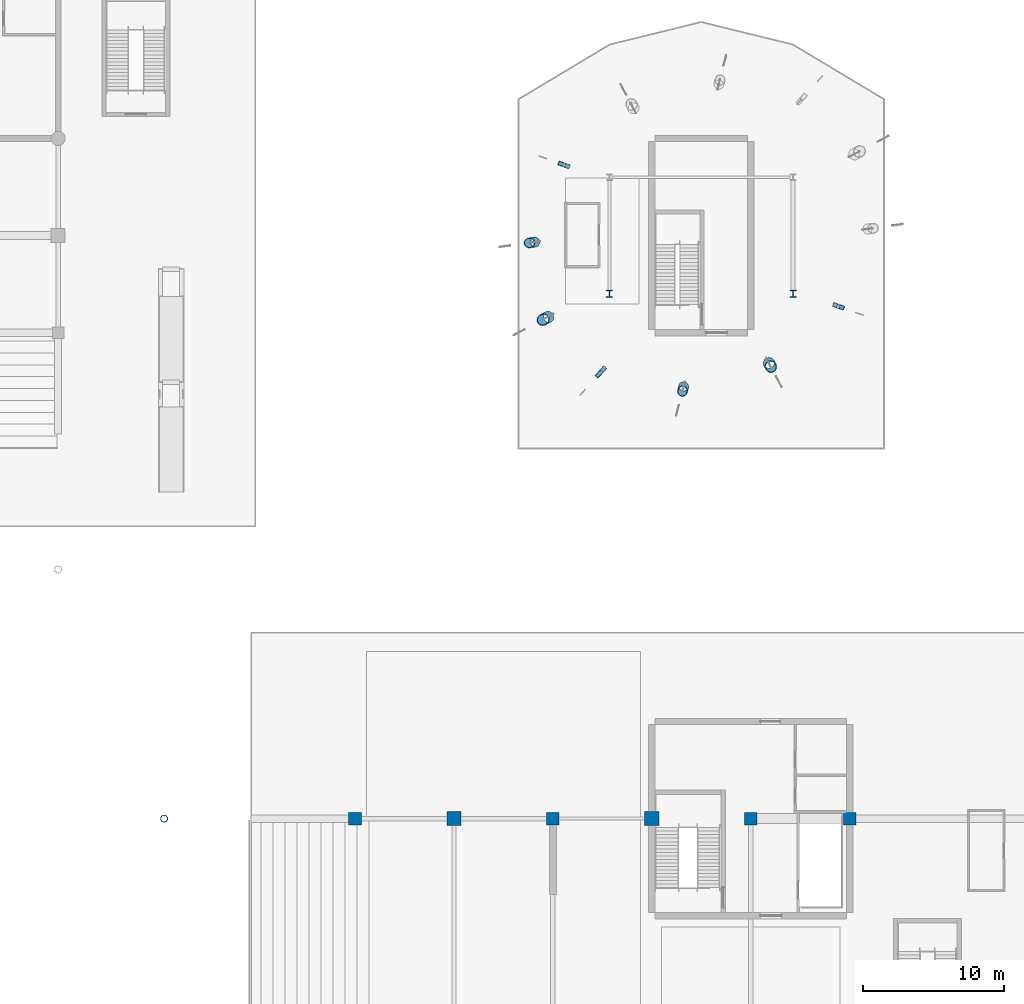
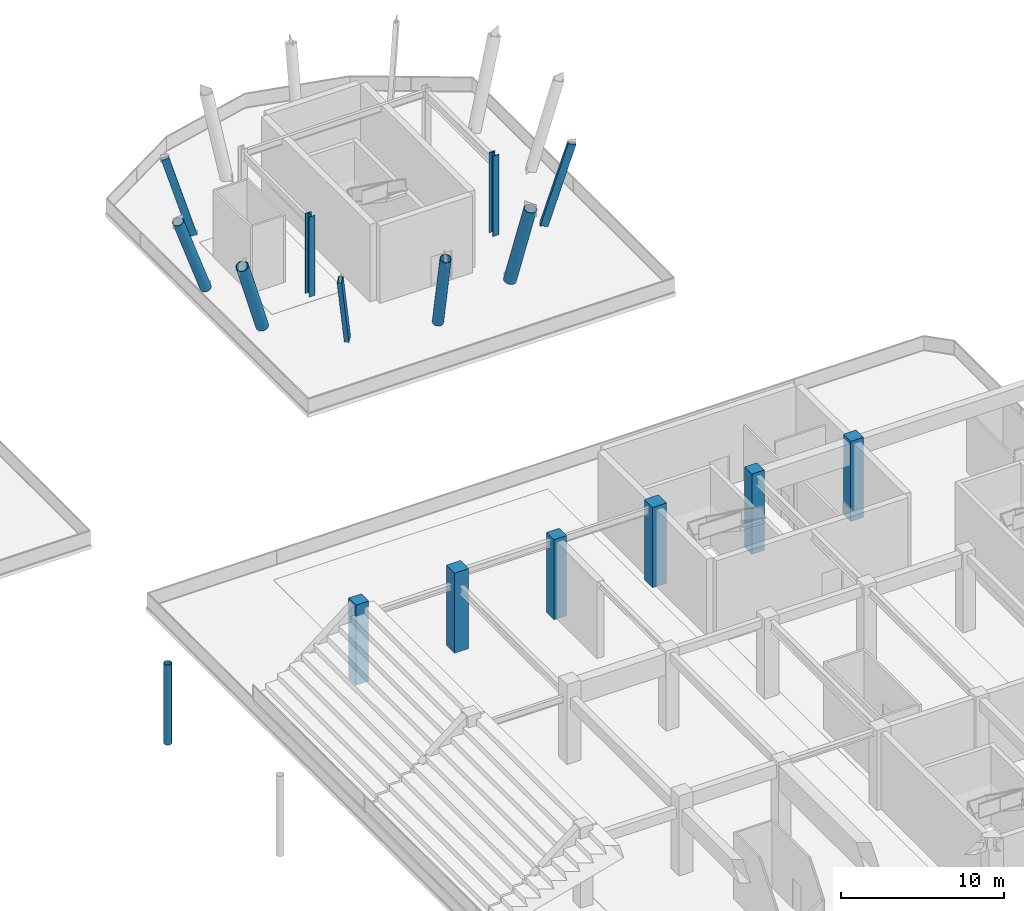
# One storey, part 20 of 73: 16 columns.
"""IFC4 building model written with IfcOpenShell, lengths in metres."""

from ifc_helpers import new_model, si_unit, direction, frame, origin, origin_2d, place, context, subcontext, project, spatial, rectangle, hollow_rectangle, hollow_circle, i_section, extrude, material, material_profile, profile_set, type_object, element, save


model = new_model("IFC4")

# Units and contexts
model_context = context("Model", 3, precision=1e-05, world=origin(), true_north=direction((0.0, 1.0)))
body_context = subcontext(model_context, "Body", "Model", "MODEL_VIEW")
ifc_project = project(units=[si_unit("LENGTHUNIT", "METRE"), si_unit("AREAUNIT", "SQUARE_METRE"), si_unit("VOLUMEUNIT", "CUBIC_METRE"), si_unit("PLANEANGLEUNIT", "RADIAN"), si_unit("MASSUNIT", "GRAM", prefix="KILO")], contexts=[model_context])

# Site, building, storey
site_placement = place(None, origin())
site = spatial("IfcSite", under=ifc_project, at=site_placement, CompositionType="ELEMENT")
building_placement = place(site_placement, origin())
building = spatial("IfcBuilding", under=site, at=building_placement, Name="Linyun Crest Stadium", CompositionType="ELEMENT")
storey_placement = place(building_placement, origin())
storey = spatial("IfcBuildingStorey", under=building, at=storey_placement, Name="L01", CompositionType="ELEMENT", Elevation=0.0)

# Columns
ifc_material_1 = material(Name="Concrete C50", Category="concrete")
ifc_material_profile_1 = material_profile(ifc_material_1, rectangle(XDim=0.89990234375, YDim=0.89990234375, at=origin_2d()), Name="RC 900x900")
ifc_profile_set_1 = profile_set([ifc_material_profile_1], Name="Concrete C50")
column_type_1 = type_object("IfcColumnType", Name="C04", PredefinedType="COLUMN", material=ifc_profile_set_1)
column_1_placement = place(storey_placement, frame((49.0, 43.375, 0.0), z_axis=(0.0, 0.0, 1.0), x_axis=(1.0, 0.0, 0.0)))
element("IfcColumn", 1, at=column_1_placement, inside=storey, type_object=column_type_1, Name="Column C04 L01 320", PredefinedType="COLUMN", context=body_context, shape_type="SweptSolid", body=[
    extrude(rectangle(XDim=0.89990234375, YDim=0.89990234375, at=origin_2d()), origin(), (0.0, 0.0, 1.0), 6.0),
])
for number, where, z_axis, x_axis, name in (
    (2, (63.0, 43.375, 0.0), (0.0, 0.0, 1.0), (1.0, 0.0, 0.0), "Column C04 L01 389"),
    (3, (77.0, 43.375, 0.0), (0.0, 0.0, 1.0), (1.0, 0.0, 0.0), "Column C04 L01 477"),
    (4, (84.0, 43.375, 0.0), (0.0, 0.0, 1.0), (1.0, 0.0, 0.0), "Column C04 L01 524"),
):
    element("IfcColumn", number, at=place(storey_placement, frame(where, z_axis=z_axis, x_axis=x_axis)), inside=storey, type_object=column_type_1, Name=name, PredefinedType="COLUMN", context=body_context, shape_type="SweptSolid", body=[
        extrude(rectangle(XDim=0.89990234375, YDim=0.89990234375, at=origin_2d()), origin(), (0.0, 0.0, 1.0), 5.998046875),
    ])
ifc_material_2 = material(Name="Concrete C50", Category="concrete")
ifc_material_profile_2 = material_profile(ifc_material_2, rectangle(XDim=1.0, YDim=1.0, at=origin_2d()), Name="RC 1000x1000")
ifc_profile_set_2 = profile_set([ifc_material_profile_2], Name="Concrete C50")
column_type_2 = type_object("IfcColumnType", Name="C05", PredefinedType="COLUMN", material=ifc_profile_set_2)
for number, where, z_axis, x_axis, name in (
    (5, (56.0, 43.375, 0.0), (0.0, 0.0, 1.0), (1.0, 0.0, 0.0), "Column C05 L01 350"),
    (6, (70.0, 43.375, 0.0), (0.0, 0.0, 1.0), (1.0, 0.0, 0.0), "Column C05 L01 436"),
):
    element("IfcColumn", number, at=place(storey_placement, frame(where, z_axis=z_axis, x_axis=x_axis)), inside=storey, type_object=column_type_2, Name=name, PredefinedType="COLUMN", context=body_context, shape_type="SweptSolid", body=[
        extrude(rectangle(XDim=1.0, YDim=1.0, at=origin_2d()), origin(), (0.0, 0.0, 1.0), 5.998046875),
    ])
ifc_material_3 = material(Name="Steel Q420C", Category="steel")
ifc_material_profile_3 = material_profile(ifc_material_3, i_section(OverallWidth=0.431884765625, OverallDepth=0.498046875, WebThickness=0.02392578125, FlangeThickness=0.0380859375, at=origin_2d()), Name="HW 498x432")
ifc_profile_set_3 = profile_set([ifc_material_profile_3], Name="Steel Q420C")
column_type_3 = type_object("IfcColumnType", Name="SC04", PredefinedType="COLUMN", material=ifc_profile_set_3)
for number, where, z_axis, x_axis, name in (
    (7, (67.0, 80.5, 0.0), (0.0, 0.0, 1.0), (1.0, 0.0, 0.0), "Column SC04 L01 823"),
    (8, (80.0, 80.5, 0.0), (0.0, 0.0, 1.0), (1.0, 0.0, 0.0), "Column SC04 L01 830"),
):
    element("IfcColumn", number, at=place(storey_placement, frame(where, z_axis=z_axis, x_axis=x_axis)), inside=storey, type_object=column_type_3, Name=name, PredefinedType="COLUMN", context=body_context, shape_type="SweptSolid", body=[
        extrude(i_section(OverallWidth=0.431884765625, OverallDepth=0.498046875, WebThickness=0.02392578125, FlangeThickness=0.0380859375, at=origin_2d()), origin(), (0.0, 0.0, 1.0), 5.998046875),
    ])
ifc_material_4 = material(Name="Steel Q355C", Category="steel")
ifc_material_profile_4 = material_profile(ifc_material_4, hollow_circle(Radius=0.25390625, WallThickness=0.02490234375, at=origin_2d()), Name="CHS 508x25")
ifc_profile_set_4 = profile_set([ifc_material_profile_4], Name="Steel Q355C")
column_type_4 = type_object("IfcColumnType", Name="SC05", PredefinedType="COLUMN", material=ifc_profile_set_4)
column_2_placement = place(storey_placement, frame((35.5, 43.375, 0.0), z_axis=(0.0, 0.0, 1.0), x_axis=(1.0, 0.0, 0.0)))
element("IfcColumn", 9, at=column_2_placement, inside=storey, type_object=column_type_4, Name="Arch colonnade column SC05 L01 32", PredefinedType="COLUMN", context=body_context, shape_type="SweptSolid", body=[
    extrude(hollow_circle(Radius=0.25390625, WallThickness=0.02490234375, at=origin_2d()), origin(), (0.0, 0.0, 1.0), 6.0),
])
ifc_material_5 = material(Name="Steel Q420C", Category="steel")
ifc_material_profile_5 = material_profile(ifc_material_5, hollow_circle(Radius=0.35546875, WallThickness=0.031982421875, at=origin_2d()), Name="CHS 711x32")
ifc_profile_set_5 = profile_set([ifc_material_profile_5], Name="Steel Q420C")
column_type_5 = type_object("IfcColumnType", Name="VL01", PredefinedType="PILASTER", material=ifc_profile_set_5)
column_3_placement = place(storey_placement, frame((61.73095703125, 84.162109375, 0.126953125), z_axis=(-0.340370956998, -0.047212997592, 0.939105182869), x_axis=(0.137394936006, -0.990516345933, 0.0)))
element("IfcColumn", 10, at=column_3_placement, inside=storey, type_object=column_type_5, Name="Inclined V-leg pier VL01 52", PredefinedType="PILASTER", context=body_context, shape_type="SweptSolid", body=[
    extrude(hollow_circle(Radius=0.35546875, WallThickness=0.031982421875, at=origin_2d()), origin(), (0.0, 0.0, 1.0), 6.251708984375),
])
column_4_placement = place(storey_placement, frame((72.2529296875, 73.931884765625, 0.10595703125), z_axis=(-0.069670455414, -0.2741113126, 0.959171004538), x_axis=(0.96918445446, -0.246336138708, 0.0)))
element("IfcColumn", 11, at=column_4_placement, inside=storey, type_object=column_type_5, Name="Inclined V-leg pier VL01 61", PredefinedType="PILASTER", context=body_context, shape_type="SweptSolid", body=[
    extrude(hollow_circle(Radius=0.35546875, WallThickness=0.031982421875, at=origin_2d()), origin(), (0.0, 0.0, 1.0), 6.142822265625),
])
ifc_material_6 = material(Name="Steel Q420C", Category="steel")
ifc_material_profile_6 = material_profile(ifc_material_6, hollow_circle(Radius=0.406494140625, WallThickness=0.035888671875, at=origin_2d()), Name="CHS 813x36")
ifc_profile_set_6 = profile_set([ifc_material_profile_6], Name="Steel Q420C")
column_type_6 = type_object("IfcColumnType", Name="VL02", PredefinedType="PILASTER", material=ifc_profile_set_6)
column_5_placement = place(storey_placement, frame((62.674072265625, 78.867919921875, 0.155029296875), z_axis=(-0.32565804507, -0.173062880004, 0.929513892982), x_axis=(0.469275854587, -0.883051624936, 0.0)))
element("IfcColumn", 12, at=column_5_placement, inside=storey, type_object=column_type_6, Name="Inclined V-leg pier VL02 55", PredefinedType="PILASTER", context=body_context, shape_type="SweptSolid", body=[
    extrude(hollow_circle(Radius=0.406494140625, WallThickness=0.035888671875, at=origin_2d()), origin(), (0.0, 0.0, 1.0), 6.2861328125),
])
column_6_placement = place(storey_placement, frame((78.301025390625, 75.595947265625, 0.10400390625), z_axis=(0.114675828693, -0.215694991273, 0.969703627431), x_axis=(0.882966652267, 0.469435715498, 0.0)))
element("IfcColumn", 13, at=column_6_placement, inside=storey, type_object=column_type_6, Name="Inclined V-leg pier VL02 64", PredefinedType="PILASTER", context=body_context, shape_type="SweptSolid", body=[
    extrude(hollow_circle(Radius=0.406494140625, WallThickness=0.035888671875, at=origin_2d()), origin(), (0.0, 0.0, 1.0), 6.078125),
])
ifc_material_7 = material(Name="Steel Q420C", Category="steel")
ifc_material_profile_7 = material_profile(ifc_material_7, hollow_rectangle(XDim=0.300048828125, YDim=0.5, WallThickness=0.02001953125, at=origin_2d()), Name="RHS 500x300x20")
ifc_profile_set_7 = profile_set([ifc_material_profile_7], Name="Steel Q420C")
column_type_7 = type_object("IfcColumnType", Name="VL03", PredefinedType="PILASTER", material=ifc_profile_set_7)
column_7_placement = place(storey_placement, frame((63.946044921875, 89.569091796875, 0.075927734375), z_axis=(-0.26627892052, 0.095218241849, 0.959181433779), x_axis=(-0.336708404663, -0.941608968855, 0.0)))
element("IfcColumn", 14, at=column_7_placement, inside=storey, type_object=column_type_7, Name="Inclined V-leg pier VL03 49", PredefinedType="PILASTER", context=body_context, shape_type="SweptSolid", body=[
    extrude(hollow_rectangle(XDim=0.300048828125, YDim=0.5, WallThickness=0.02001953125, at=origin_2d()), origin(), (0.0, 0.0, 1.0), 6.174072265625),
])
column_8_placement = place(storey_placement, frame((66.5439453125, 75.136962890625, 0.091064453125), z_axis=(-0.229385826453, -0.255934033778, 0.939084614386), x_axis=(0.744673951362, -0.667428427745, 0.0)))
element("IfcColumn", 15, at=column_8_placement, inside=storey, type_object=column_type_7, Name="Inclined V-leg pier VL03 58", PredefinedType="PILASTER", context=body_context, shape_type="SweptSolid", body=[
    extrude(hollow_rectangle(XDim=0.300048828125, YDim=0.5, WallThickness=0.02001953125, at=origin_2d()), origin(), (0.0, 0.0, 1.0), 6.2900390625),
])
column_9_placement = place(storey_placement, frame((83.053955078125, 79.680908203125, 0.075927734375), z_axis=(0.26627892052, -0.095218241849, 0.959181433779), x_axis=(0.336708404663, 0.941608968855, 0.0)))
element("IfcColumn", 16, at=column_9_placement, inside=storey, type_object=column_type_7, Name="Inclined V-leg pier VL03 67", PredefinedType="PILASTER", context=body_context, shape_type="SweptSolid", body=[
    extrude(hollow_rectangle(XDim=0.300048828125, YDim=0.5, WallThickness=0.02001953125, at=origin_2d()), origin(), (0.0, 0.0, 1.0), 6.174072265625),
])

save(model, "model.ifc")
